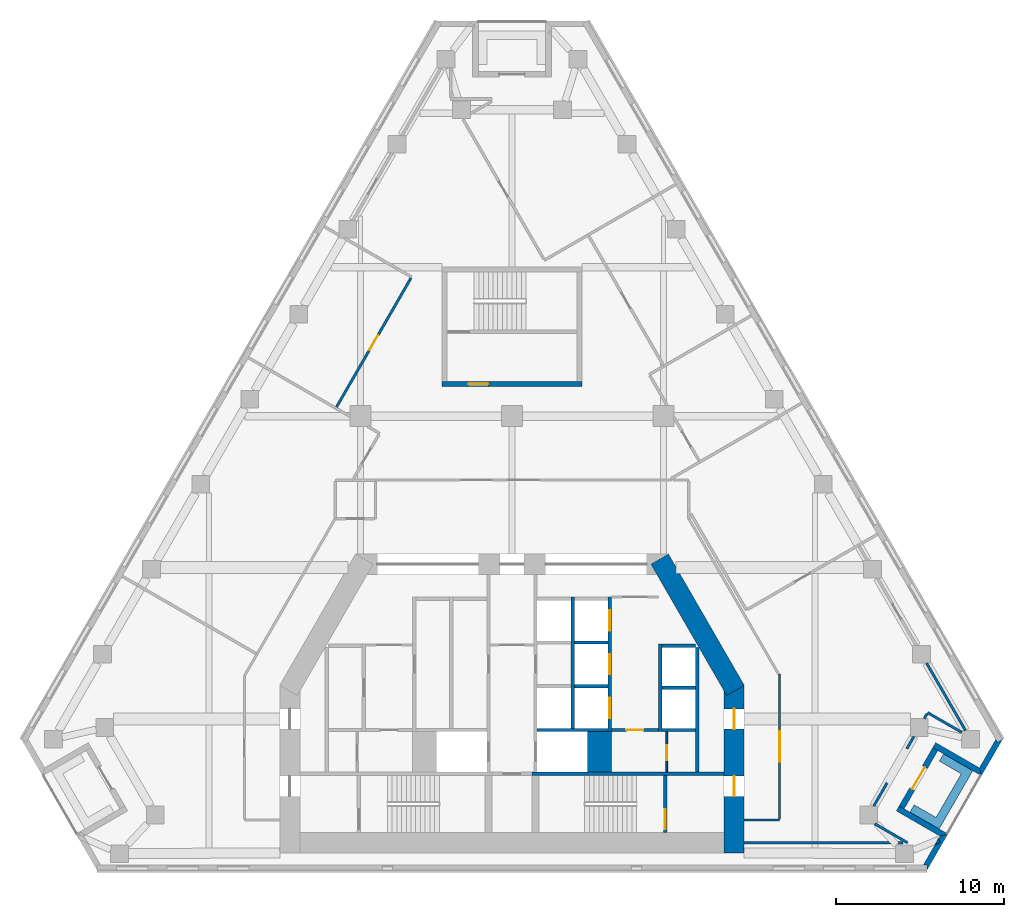
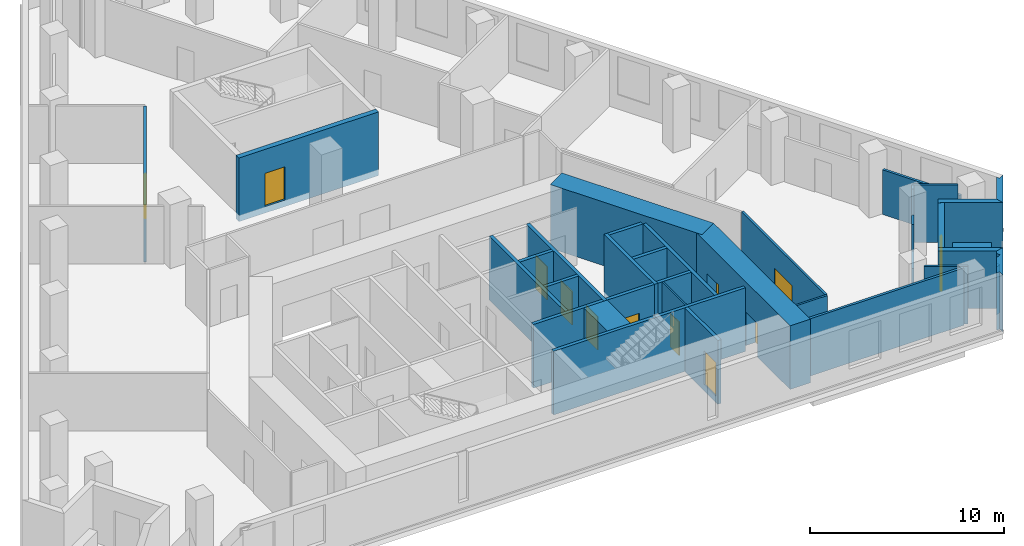
# One storey, part 6 of 9: 35 walls, 12 doors, 12 openings.
"""IFC4 building model written with IfcOpenShell, lengths in metres."""

import ifcopenshell
import ifcopenshell.guid

model = None  # the IFC model being written
_history = None  # IfcOwnerHistory: only IFC2X3 demands one
_inside = {}  # id of a spatial element -> (the spatial element, [elements in it])
_under = {}  # id of a project, library or spatial element -> (it, [spatial elements below it])
_declared = {}  # id of a project -> (the project, [libraries it declares])
_typed = {}  # id of a type object -> (the type object, [elements of that type])
_made_of = {}  # id of a material, layer set ... -> (it, [elements and type objects made of it])


def new_model(schema):
    """Start an empty IFC model of exactly this schema.

    Asked for "IFC4X3", IfcOpenShell would pick the latest addendum, in which some entities
    have other attributes; the version numbers below select the first issue.
    IFC2X3 requires an IfcOwnerHistory on every rooted entity: one is made here for all.
    """
    global model, _history
    if schema == "IFC4X3":
        model = ifcopenshell.file(schema_version=(4, 3, 0, 0))
    else:
        model = ifcopenshell.file(schema=schema)
    _inside.clear()
    _under.clear()
    _declared.clear()
    _typed.clear()
    _made_of.clear()
    _history = None
    if model.schema == "IFC2X3":
        org = make("IfcOrganization", Name="unknown")
        user = make(
            "IfcPersonAndOrganization",
            ThePerson=make("IfcPerson", FamilyName="unknown"),
            TheOrganization=org,
        )
        app = make(
            "IfcApplication",
            ApplicationDeveloper=org,
            Version="unknown",
            ApplicationFullName="unknown",
            ApplicationIdentifier="unknown",
        )
        _history = make(
            "IfcOwnerHistory",
            OwningUser=user,
            OwningApplication=app,
            ChangeAction="ADDED",
            CreationDate=0,
        )
    return model


def make(cls, **values):
    """One entity of the class cls with the attributes given. An attribute that is None is left unset."""
    return model.create_entity(
        cls, **{name: value for name, value in values.items() if value is not None}
    )


def rooted(cls, **values):
    """An entity with a GlobalId (a new one), such as an element, a storey or a relation."""
    return make(cls, GlobalId=ifcopenshell.guid.new(), OwnerHistory=_history, **values)


def si_unit(unit_type, name, prefix=None):
    """IfcSIUnit, for example si_unit("LENGTHUNIT", "METRE", prefix="MILLI")."""
    return make("IfcSIUnit", UnitType=unit_type, Prefix=prefix, Name=name)


def assignment(units):
    """IfcUnitAssignment: the units of a project."""
    return None if units is None else make("IfcUnitAssignment", Units=units)


def point(xyz):
    """IfcCartesianPoint."""
    return None if xyz is None else make("IfcCartesianPoint", Coordinates=xyz)


def direction(xyz):
    """IfcDirection."""
    return None if xyz is None else make("IfcDirection", DirectionRatios=xyz)


def frame(location, z_axis=None, x_axis=None):
    """IfcAxis2Placement3D, a coordinate frame: its origin and axes. An axis left out is left unset."""
    return make(
        "IfcAxis2Placement3D",
        Location=point(location),
        Axis=direction(z_axis),
        RefDirection=direction(x_axis),
    )


def frame_2d(location, x_axis=None):
    """IfcAxis2Placement2D, a coordinate frame in the plane: its origin and x axis."""
    return make(
        "IfcAxis2Placement2D", Location=point(location), RefDirection=direction(x_axis)
    )


def origin():
    """The frame at (0, 0, 0) with its axes left unset."""
    return frame((0.0, 0.0, 0.0))


def place(relative_to, where):
    """IfcLocalPlacement: puts the frame where relative to a parent placement (None: the world)."""
    return make(
        "IfcLocalPlacement", PlacementRelTo=relative_to, RelativePlacement=where
    )


def context(
    kind, dimensions, precision=None, world=None, true_north=None, identifier=None
):
    """IfcGeometricRepresentationContext, for example the 3D "Model" context."""
    return make(
        "IfcGeometricRepresentationContext",
        ContextIdentifier=identifier,
        ContextType=kind,
        CoordinateSpaceDimension=dimensions,
        Precision=precision,
        WorldCoordinateSystem=world,
        TrueNorth=true_north,
    )


def subcontext(parent, identifier, kind, view, scale=None):
    """IfcGeometricRepresentationSubContext, for example "Body" below "Model"."""
    return make(
        "IfcGeometricRepresentationSubContext",
        ContextIdentifier=identifier,
        ContextType=kind,
        ParentContext=parent,
        TargetScale=scale,
        TargetView=view,
    )


def project(units=None, contexts=None):
    """IfcProject with its units and contexts."""
    return rooted(
        "IfcProject",
        Name="project",
        RepresentationContexts=contexts,
        UnitsInContext=assignment(units),
    )


def spatial(cls, under=None, at=None, **own):
    """A site, building, storey or space (cls), placed at a placement, below another one or the project."""
    s = rooted(cls, ObjectPlacement=at, **own)
    if under is not None:
        _under.setdefault(under.id(), (under, []))[1].append(s)
    return s


def polyline(points):
    """IfcPolyline through the points."""
    return make("IfcPolyline", Points=[point(p) for p in points])


def profile(cls, at=None, kind="AREA", **sizes):
    """A parametric profile (cls). Its sizes go by their IFC names, for example OverallWidth=200.0."""
    return make(cls, ProfileType=kind, Position=at, **sizes)


def rectangle(**sizes):
    """IfcRectangleProfileDef."""
    return profile("IfcRectangleProfileDef", **sizes)


def outline(outer, holes=None, kind="AREA"):
    """IfcArbitraryClosedProfileDef: a profile drawn as a closed curve; with holes, ...WithVoids."""
    if holes is None:
        return make("IfcArbitraryClosedProfileDef", ProfileType=kind, OuterCurve=outer)
    return make(
        "IfcArbitraryProfileDefWithVoids",
        ProfileType=kind,
        OuterCurve=outer,
        InnerCurves=holes,
    )


def extrude(swept, where, along, depth):
    """IfcExtrudedAreaSolid: the profile swept, set in the frame where, extruded along a direction by depth."""
    return make(
        "IfcExtrudedAreaSolid",
        SweptArea=swept,
        Position=where,
        ExtrudedDirection=direction(along),
        Depth=depth,
    )


def shape(context_of_items, identifier, shape_type, items):
    """IfcShapeRepresentation: the items that make up one representation, for example the "Body"."""
    return make(
        "IfcShapeRepresentation",
        ContextOfItems=context_of_items,
        RepresentationIdentifier=identifier,
        RepresentationType=shape_type,
        Items=items,
    )


def material(Name=None, Category=None):
    """IfcMaterial."""
    return make("IfcMaterial", Name=Name, Category=Category)


def layer(
    of_material, thickness, ventilated=None, Name=None, Category=None, Priority=None
):
    """IfcMaterialLayer: one layer of a wall or slab, of a material (None: an air gap)."""
    return make(
        "IfcMaterialLayer",
        Material=of_material,
        LayerThickness=thickness,
        IsVentilated=ventilated,
        Name=Name,
        Category=Category,
        Priority=Priority,
    )


def layer_set(layers, Name=None):
    """IfcMaterialLayerSet."""
    return make("IfcMaterialLayerSet", MaterialLayers=layers, LayerSetName=Name)


def made_of(thing, what):
    """Note that an element or type object is made of a material, layer set ...; save() writes the relation."""
    if what is not None:
        _made_of.setdefault(what.id(), (what, []))[1].append(thing)
    return thing


def type_object(cls, material=None, **own):
    """A type object (cls), such as IfcWallType, which elements share."""
    return made_of(rooted(cls, **own), material)


def element(
    cls,
    number,
    at=None,
    inside=None,
    cuts=None,
    type_object=None,
    material=None,
    context=None,
    identifier="Body",
    shape_type=None,
    held_by="IfcProductDefinitionShape",
    body=None,
    shapes=None,
    **own,
):
    """One element of the class cls, such as IfcWall. Its Tag is "e" and its number.

    at: its placement. inside: the storey or other place that contains it. cuts: it is an
    opening in that element (IfcRelVoidsElement). A single representation is given by context,
    identifier, shape_type and body (its items); several are given by shapes. held_by: the class
    of the entity that holds the representations. save() writes the other relations.
    """
    e = rooted(cls, Tag="e%d" % number, ObjectPlacement=at, **own)
    if body is not None:
        shapes = [shape(context, identifier, shape_type, body)]
    if shapes is not None:
        e.Representation = make(held_by, Representations=shapes)
    if inside is not None:
        _inside.setdefault(inside.id(), (inside, []))[1].append(e)
    if cuts is not None:
        rooted(
            "IfcRelVoidsElement", RelatingBuildingElement=cuts, RelatedOpeningElement=e
        )
    if type_object is not None:
        _typed.setdefault(type_object.id(), (type_object, []))[1].append(e)
    return made_of(e, material)


def fill(opening, filler):
    """IfcRelFillsElement: the door or window that sits in an opening."""
    return rooted(
        "IfcRelFillsElement",
        RelatingOpeningElement=opening,
        RelatedBuildingElement=filler,
    )


def aggregate(whole, parts):
    """IfcRelAggregates: a whole, such as a stair, and the parts it consists of."""
    return rooted("IfcRelAggregates", RelatingObject=whole, RelatedObjects=parts)


def save(model, path):
    """Write the relations noted so far, then the file.

    IfcRelAggregates (storeys below a building ...), IfcRelContainedInSpatialStructure (elements
    in a storey), IfcRelDefinesByType, IfcRelAssociatesMaterial and IfcRelDeclares: one each for
    every whole, place, type object, material and project.
    """
    for whole, parts in _under.values():
        aggregate(whole, parts)
    for where, things in _inside.values():
        rooted(
            "IfcRelContainedInSpatialStructure",
            RelatedElements=things,
            RelatingStructure=where,
        )
    for kind, things in _typed.values():
        rooted("IfcRelDefinesByType", RelatedObjects=things, RelatingType=kind)
    for what, things in _made_of.values():
        rooted("IfcRelAssociatesMaterial", RelatedObjects=things, RelatingMaterial=what)
    for by, libraries in _declared.values():
        rooted("IfcRelDeclares", RelatingContext=by, RelatedDefinitions=libraries)
    model.write(path)


model = new_model("IFC4")

# Units and contexts
model_context = context("Model", 3, precision=1e-05, world=origin(), true_north=direction((0.0, 1.0)))
body_context = subcontext(model_context, "Body", "Model", "MODEL_VIEW")
ifc_project = project(units=[si_unit("LENGTHUNIT", "METRE"), si_unit("AREAUNIT", "SQUARE_METRE"), si_unit("VOLUMEUNIT", "CUBIC_METRE"), si_unit("PLANEANGLEUNIT", "RADIAN"), si_unit("MASSUNIT", "GRAM", prefix="KILO")], contexts=[model_context])

# Site, building, storey
site_placement = place(None, origin())
site = spatial("IfcSite", under=ifc_project, at=site_placement, CompositionType="ELEMENT")
building_placement = place(site_placement, origin())
building = spatial("IfcBuilding", under=site, at=building_placement, Name="Fogline Exchange Tower", CompositionType="ELEMENT")
storey_placement = place(building_placement, frame((0.0, 0.0, 142.89990234375)))
storey = spatial("IfcBuildingStorey", under=building, at=storey_placement, Name="L31", CompositionType="ELEMENT", Elevation=142.89990234375)

# Wall, opening, door
ifc_material_1 = material(Name="Blockwork partition", Category="masonry")
ifc_layer_1 = layer(ifc_material_1, 0.10009765625)
ifc_layer_set_1 = layer_set([ifc_layer_1], Name="CW10")
wall_type_1 = type_object("IfcWallType", Name="CW10", PredefinedType="PARTITIONING", material=ifc_layer_set_1)
wall_1_placement = place(storey_placement, frame((9.199951171875, 5.85009765625, 0.0), z_axis=(0.0, 0.0, 1.0), x_axis=(0.0, 1.0, 0.0)))
wall_1 = element("IfcWall", 1, at=wall_1_placement, inside=storey, type_object=wall_type_1, Name="WC partition", PredefinedType="PARTITIONING", context=body_context, shape_type="SweptSolid", body=[
    extrude(rectangle(XDim=2.39990234375, YDim=0.10009765625, at=frame_2d((1.199951171875, 0.0))), origin(), (0.0, 0.0, 1.0), 3.60009765625),
])
opening_1_placement = place(wall_1_placement, frame((0.699951171875, 0.0, 0.0)))
opening_1 = element("IfcOpeningElement", 2, at=opening_1_placement, cuts=wall_1, Name="Opening T10-C014", PredefinedType="OPENING", context=body_context, shape_type="SweptSolid", body=[
    extrude(rectangle(XDim=0.89990234375, YDim=2.10009765625, at=frame_2d((0.449951171875, 1.050048828125))), frame((0.0, 0.06005859375, 0.0), z_axis=(0.0, -1.0, 0.0), x_axis=(1.0, 0.0, 0.0)), (0.0, 0.0, 1.0), 0.1201171875),
])
ifc_material_2 = material(Name="Steel and timber fire door", Category="steel")
door_type_1 = type_object("IfcDoorType", Name="D-CS1", OperationType="SINGLE_SWING_RIGHT", PredefinedType="DOOR", material=ifc_material_2)
door_1_placement = place(opening_1_placement, frame((0.89990234375, 0.0, 0.0), z_axis=(0.0, 0.0, 1.0), x_axis=(-1.0, 0.0, 0.0)))
door_1 = element("IfcDoor", 3, at=door_1_placement, inside=storey, type_object=door_type_1, Name="Door to Cleaner's Store", OperationType="SINGLE_SWING_RIGHT", OverallHeight=2.10009765625, OverallWidth=0.89990234375, PredefinedType="DOOR", context=body_context, shape_type="SweptSolid", body=[
    extrude(rectangle(XDim=0.89990234375, YDim=2.10009765625, at=frame_2d((0.449951171875, 1.050048828125))), frame((0.0, 0.02490234375, 0.0), z_axis=(0.0, -1.0, 0.0), x_axis=(1.0, 0.0, 0.0)), (0.0, 0.0, 1.0), 0.050048828125),
])
fill(opening_1, door_1)

# Walls
ifc_material_3 = material(Name="Concrete C60", Category="concrete")
ifc_layer_2 = layer(ifc_material_3, 1.39990234375)
ifc_layer_set_2 = layer_set([ifc_layer_2], Name="CW140")
wall_type_2 = type_object("IfcWallType", Name="CW140", PredefinedType="SOLIDWALL", material=ifc_layer_set_2)
wall_2_placement = place(storey_placement, frame((5.199951171875, 5.85009765625, -0.39990234375), z_axis=(0.0, 0.0, 1.0), x_axis=(0.0, 1.0, 0.0)))
element("IfcWall", 4, at=wall_2_placement, inside=storey, type_object=wall_type_2, Name="Lift shaft block wall", PredefinedType="SOLIDWALL", context=body_context, shape_type="SweptSolid", body=[
    extrude(rectangle(XDim=2.39990234375, YDim=1.39990234375, at=frame_2d((1.199951171875, 0.0))), origin(), (0.0, 0.0, 1.0), 4.0),
])
ifc_material_4 = material(Name="Concrete C40", Category="concrete")
ifc_layer_3 = layer(ifc_material_4, 0.199951171875)
ifc_layer_set_3 = layer_set([ifc_layer_3], Name="CW20")
wall_type_3 = type_object("IfcWallType", Name="CW20", PredefinedType="SOLIDWALL", material=ifc_layer_set_3)
wall_3_placement = place(storey_placement, frame((11.0, 5.85009765625, 0.0), z_axis=(0.0, 0.0, 1.0), x_axis=(0.0, 1.0, 0.0)))
element("IfcWall", 5, at=wall_3_placement, inside=storey, type_object=wall_type_3, Name="Service room wall", PredefinedType="SOLIDWALL", context=body_context, shape_type="SweptSolid", body=[
    extrude(rectangle(XDim=7.39990234375, YDim=0.199951171875, at=frame_2d((3.699951171875, 0.0))), origin(), (0.0, 0.0, 1.0), 3.60009765625),
])

# Wall, opening, door
wall_4_placement = place(storey_placement, frame((5.89990234375, 8.35009765625, 0.0), z_axis=(0.0, 0.0, 1.0), x_axis=(1.0, 0.0, 0.0)))
wall_4 = element("IfcWall", 6, at=wall_4_placement, inside=storey, type_object=wall_type_3, Name="WC wall", PredefinedType="SOLIDWALL", context=body_context, shape_type="SweptSolid", body=[
    extrude(rectangle(XDim=2.800048828125, YDim=0.199951171875, at=frame_2d((1.39990234375, 0.0))), origin(), (0.0, 0.0, 1.0), 3.60009765625),
])
opening_2_placement = place(wall_4_placement, frame((0.89990234375, 0.0, 0.0)))
opening_2 = element("IfcOpeningElement", 7, at=opening_2_placement, cuts=wall_4, Name="Opening T10-C013", PredefinedType="OPENING", context=body_context, shape_type="SweptSolid", body=[
    extrude(rectangle(XDim=1.0, YDim=2.10009765625, at=frame_2d((0.5, 1.050048828125))), frame((0.0, 0.10986328125, 0.0), z_axis=(0.0, -1.0, 0.0), x_axis=(1.0, 0.0, 0.0)), (0.0, 0.0, 1.0), 0.219970703125),
])
door_type_2 = type_object("IfcDoorType", Name="D-WC1", OperationType="SINGLE_SWING_LEFT", PredefinedType="DOOR", material=ifc_material_2)
door_2_placement = place(opening_2_placement, frame((1.0, 0.0, 0.0), z_axis=(0.0, 0.0, 1.0), x_axis=(-1.0, 0.0, 0.0)))
door_2 = element("IfcDoor", 8, at=door_2_placement, inside=storey, type_object=door_type_2, Name="Door to Women's WC", OperationType="SINGLE_SWING_LEFT", OverallHeight=2.10009765625, OverallWidth=1.0, PredefinedType="DOOR", context=body_context, shape_type="SweptSolid", body=[
    extrude(rectangle(XDim=1.0, YDim=2.10009765625, at=frame_2d((0.5, 1.050048828125))), frame((0.0, 0.02490234375, 0.0), z_axis=(0.0, -1.0, 0.0), x_axis=(1.0, 0.0, 0.0)), (0.0, 0.0, 1.0), 0.050048828125),
])
fill(opening_2, door_2)

# Wall
ifc_layer_4 = layer(ifc_material_4, 0.199951171875)
ifc_layer_set_4 = layer_set([ifc_layer_4], Name="CW20R")
wall_type_4 = type_object("IfcWallType", Name="CW20R", PredefinedType="SOLIDWALL", material=ifc_layer_set_4)
wall_5_placement = place(storey_placement, frame((1.199951171875, 5.75, -0.39990234375), z_axis=(0.0, 0.0, 1.0), x_axis=(1.0, 0.0, 0.0)))
element("IfcWall", 9, at=wall_5_placement, inside=storey, type_object=wall_type_4, Name="Stair enclosure wall", PredefinedType="SOLIDWALL", context=body_context, shape_type="SweptSolid", body=[
    extrude(rectangle(XDim=11.400146484375, YDim=0.199951171875, at=frame_2d((5.7001953125, 0.0))), origin(), (0.0, 0.0, 1.0), 4.0),
])

# Wall, opening, door
wall_6_placement = place(storey_placement, frame((9.10009765625, 2.25, -0.39990234375), z_axis=(0.0, 0.0, 1.0), x_axis=(0.0, 1.0, 0.0)))
wall_6 = element("IfcWall", 10, at=wall_6_placement, inside=storey, type_object=wall_type_4, Name="Stair enclosure wall", PredefinedType="SOLIDWALL", context=body_context, shape_type="SweptSolid", body=[
    extrude(rectangle(XDim=3.39990234375, YDim=0.199951171875, at=frame_2d((1.699951171875, 0.0))), origin(), (0.0, 0.0, 1.0), 4.0),
])
opening_3_placement = place(wall_6_placement, frame((0.199951171875, 0.0, 0.39990234375)))
opening_3 = element("IfcOpeningElement", 11, at=opening_3_placement, cuts=wall_6, Name="Opening T10-C016", PredefinedType="OPENING", context=body_context, shape_type="SweptSolid", body=[
    extrude(rectangle(XDim=1.199951171875, YDim=2.10009765625, at=frame_2d((0.60009765625, 1.050048828125))), frame((0.0, 0.10986328125, 0.0), z_axis=(0.0, -1.0, 0.0), x_axis=(1.0, 0.0, 0.0)), (0.0, 0.0, 1.0), 0.219970703125),
])
door_type_3 = type_object("IfcDoorType", Name="D-ST1", OperationType="SINGLE_SWING_LEFT", PredefinedType="DOOR", material=ifc_material_2)
door_3_placement = place(opening_3_placement, origin())
door_3 = element("IfcDoor", 12, at=door_3_placement, inside=storey, type_object=door_type_3, Name="Stair door ST2", OperationType="SINGLE_SWING_LEFT", OverallHeight=2.10009765625, OverallWidth=1.199951171875, PredefinedType="DOOR", context=body_context, shape_type="SweptSolid", body=[
    extrude(rectangle(XDim=1.199951171875, YDim=2.10009765625, at=frame_2d((0.60009765625, 1.050048828125))), frame((0.0, 0.02490234375, 0.0), z_axis=(0.0, -1.0, 0.0), x_axis=(1.0, 0.0, 0.0)), (0.0, 0.0, 1.0), 0.050048828125),
])
fill(opening_3, door_3)

# Wall
ifc_layer_5 = layer(ifc_material_4, 0.199951171875)
ifc_layer_set_5 = layer_set([ifc_layer_5], Name="CW20S")
wall_type_5 = type_object("IfcWallType", Name="CW20S", PredefinedType="SOLIDWALL", material=ifc_layer_set_5)
wall_7_placement = place(storey_placement, frame((8.800048828125, 8.25, -0.39990234375), z_axis=(0.0, 0.0, 1.0), x_axis=(0.0, 1.0, 0.0)))
element("IfcWall", 13, at=wall_7_placement, inside=storey, type_object=wall_type_5, Name="Lift shaft wall", PredefinedType="SOLIDWALL", context=body_context, shape_type="SweptSolid", body=[
    extrude(rectangle(XDim=5.199951171875, YDim=0.199951171875, at=frame_2d((2.60009765625, 0.0))), origin(), (0.0, 0.0, 1.0), 4.0),
])

# Wall, openings, doors
wall_8_placement = place(storey_placement, frame((5.800048828125, 8.25, -0.39990234375), z_axis=(0.0, 0.0, 1.0), x_axis=(0.0, 1.0, 0.0)))
wall_8 = element("IfcWall", 14, at=wall_8_placement, inside=storey, type_object=wall_type_5, Name="Lift shaft wall", PredefinedType="SOLIDWALL", context=body_context, shape_type="SweptSolid", body=[
    extrude(rectangle(XDim=8.0, YDim=0.199951171875, at=frame_2d((4.0, 0.0))), origin(), (0.0, 0.0, 1.0), 4.0),
])
opening_4_placement = place(wall_8_placement, frame((0.800048828125, 0.0, 0.39990234375)))
opening_4 = element("IfcOpeningElement", 15, at=opening_4_placement, cuts=wall_8, Name="Opening T10-LD02", PredefinedType="OPENING", context=body_context, shape_type="SweptSolid", body=[
    extrude(rectangle(XDim=1.199951171875, YDim=2.10009765625, at=frame_2d((0.60009765625, 1.050048828125))), frame((0.0, 0.10986328125, 0.0), z_axis=(0.0, -1.0, 0.0), x_axis=(1.0, 0.0, 0.0)), (0.0, 0.0, 1.0), 0.219970703125),
])
opening_5_placement = place(wall_8_placement, frame((3.39990234375, 0.0, 0.39990234375)))
opening_5 = element("IfcOpeningElement", 16, at=opening_5_placement, cuts=wall_8, Name="Opening T10-LD03", PredefinedType="OPENING", context=body_context, shape_type="SweptSolid", body=[
    extrude(rectangle(XDim=1.199951171875, YDim=2.10009765625, at=frame_2d((0.60009765625, 1.050048828125))), frame((0.0, 0.10986328125, 0.0), z_axis=(0.0, -1.0, 0.0), x_axis=(1.0, 0.0, 0.0)), (0.0, 0.0, 1.0), 0.219970703125),
])
opening_6_placement = place(wall_8_placement, frame((6.0, 0.0, 0.39990234375)))
opening_6 = element("IfcOpeningElement", 17, at=opening_6_placement, cuts=wall_8, Name="Opening T10-LD04", PredefinedType="OPENING", context=body_context, shape_type="SweptSolid", body=[
    extrude(rectangle(XDim=1.199951171875, YDim=2.10009765625, at=frame_2d((0.60009765625, 1.050048828125))), frame((0.0, 0.10986328125, 0.0), z_axis=(0.0, -1.0, 0.0), x_axis=(1.0, 0.0, 0.0)), (0.0, 0.0, 1.0), 0.219970703125),
])
door_type_4 = type_object("IfcDoorType", Name="LD1", OperationType="SLIDING_TO_LEFT", PredefinedType="DOOR", material=ifc_material_2)
door_4_placement = place(opening_4_placement, origin())
door_4 = element("IfcDoor", 18, at=door_4_placement, inside=storey, type_object=door_type_4, Name="Landing door MR1", OperationType="SLIDING_TO_LEFT", OverallHeight=2.10009765625, OverallWidth=1.199951171875, PredefinedType="DOOR", context=body_context, shape_type="SweptSolid", body=[
    extrude(rectangle(XDim=1.199951171875, YDim=2.10009765625, at=frame_2d((0.60009765625, 1.050048828125))), frame((0.0, 0.02490234375, 0.0), z_axis=(0.0, -1.0, 0.0), x_axis=(1.0, 0.0, 0.0)), (0.0, 0.0, 1.0), 0.050048828125),
])
fill(opening_4, door_4)
door_5_placement = place(opening_5_placement, origin())
door_5 = element("IfcDoor", 19, at=door_5_placement, inside=storey, type_object=door_type_4, Name="Landing door MR2", OperationType="SLIDING_TO_LEFT", OverallHeight=2.10009765625, OverallWidth=1.199951171875, PredefinedType="DOOR", context=body_context, shape_type="SweptSolid", body=[
    extrude(rectangle(XDim=1.199951171875, YDim=2.10009765625, at=frame_2d((0.60009765625, 1.050048828125))), frame((0.0, 0.02490234375, 0.0), z_axis=(0.0, -1.0, 0.0), x_axis=(1.0, 0.0, 0.0)), (0.0, 0.0, 1.0), 0.050048828125),
])
fill(opening_5, door_5)
door_6_placement = place(opening_6_placement, origin())
door_6 = element("IfcDoor", 20, at=door_6_placement, inside=storey, type_object=door_type_4, Name="Landing door MR3", OperationType="SLIDING_TO_LEFT", OverallHeight=2.10009765625, OverallWidth=1.199951171875, PredefinedType="DOOR", context=body_context, shape_type="SweptSolid", body=[
    extrude(rectangle(XDim=1.199951171875, YDim=2.10009765625, at=frame_2d((0.60009765625, 1.050048828125))), frame((0.0, 0.02490234375, 0.0), z_axis=(0.0, -1.0, 0.0), x_axis=(1.0, 0.0, 0.0)), (0.0, 0.0, 1.0), 0.050048828125),
])
fill(opening_6, door_6)

# Walls
wall_9_placement = place(storey_placement, frame((3.60009765625, 8.449951171875, -0.39990234375), z_axis=(0.0, 0.0, 1.0), x_axis=(0.0, 1.0, 0.0)))
element("IfcWall", 21, at=wall_9_placement, inside=storey, type_object=wall_type_5, Name="Lift shaft wall", PredefinedType="SOLIDWALL", context=body_context, shape_type="SweptSolid", body=[
    extrude(rectangle(XDim=7.800048828125, YDim=0.199951171875, at=frame_2d((3.89990234375, 0.0))), origin(), (0.0, 0.0, 1.0), 4.0),
])
wall_10_placement = place(storey_placement, frame((8.89990234375, 8.35009765625, -0.39990234375), z_axis=(0.0, 0.0, 1.0), x_axis=(1.0, 0.0, 0.0)))
element("IfcWall", 22, at=wall_10_placement, inside=storey, type_object=wall_type_5, Name="Lift shaft wall", PredefinedType="SOLIDWALL", context=body_context, shape_type="SweptSolid", body=[
    extrude(rectangle(XDim=2.0, YDim=0.199951171875, at=frame_2d((1.0, 0.0))), origin(), (0.0, 0.0, 1.0), 4.0),
])
wall_11_placement = place(storey_placement, frame((1.5, 8.35009765625, -0.39990234375), z_axis=(0.0, 0.0, 1.0), x_axis=(1.0, 0.0, 0.0)))
element("IfcWall", 23, at=wall_11_placement, inside=storey, type_object=wall_type_5, Name="Lift shaft wall", PredefinedType="SOLIDWALL", context=body_context, shape_type="SweptSolid", body=[
    extrude(rectangle(XDim=4.199951171875, YDim=0.199951171875, at=frame_2d((2.10009765625, 0.0))), origin(), (0.0, 0.0, 1.0), 4.0),
])
for number, where, z_axis, x_axis, name in (
    (24, (8.89990234375, 10.85009765625, -0.39990234375), (0.0, 0.0, 1.0), (1.0, 0.0, 0.0), "Lift shaft wall"),
    (25, (8.89990234375, 13.35009765625, -0.39990234375), (0.0, 0.0, 1.0), (1.0, 0.0, 0.0), "Lift shaft wall"),
    (26, (3.699951171875, 10.949951171875, -0.39990234375), (0.0, 0.0, 1.0), (1.0, 0.0, 0.0), "Lift shaft wall"),
    (27, (3.699951171875, 13.550048828125, -0.39990234375), (0.0, 0.0, 1.0), (1.0, 0.0, 0.0), "Lift shaft wall"),
):
    element("IfcWall", number, at=place(storey_placement, frame(where, z_axis=z_axis, x_axis=x_axis)), inside=storey, type_object=wall_type_5, Name=name, PredefinedType="SOLIDWALL", context=body_context, shape_type="SweptSolid", body=[
        extrude(rectangle(XDim=2.0, YDim=0.199951171875, at=frame_2d((1.0, 0.0))), origin(), (0.0, 0.0, 1.0), 4.0),
    ])

# Wall, opening, door
ifc_layer_6 = layer(ifc_material_4, 0.300048828125)
ifc_layer_set_6 = layer_set([ifc_layer_6], Name="CW30")
wall_type_6 = type_object("IfcWallType", Name="CW30", PredefinedType="SOLIDWALL", material=ifc_layer_set_6)
wall_12_placement = place(storey_placement, frame((-4.14990234375, 28.906982421875, -0.39990234375), z_axis=(0.0, 0.0, 1.0), x_axis=(1.0, 0.0, 0.0)))
wall_12 = element("IfcWall", 28, at=wall_12_placement, inside=storey, type_object=wall_type_6, Name="Stair enclosure wall ST3", PredefinedType="SOLIDWALL", context=body_context, shape_type="SweptSolid", body=[
    extrude(rectangle(XDim=8.2998046875, YDim=0.300048828125, at=frame_2d((4.14990234375, 0.0))), origin(), (0.0, 0.0, 1.0), 4.0),
])
opening_7_placement = place(wall_12_placement, frame((1.550048828125, 0.0, 0.39990234375)))
opening_7 = element("IfcOpeningElement", 29, at=opening_7_placement, cuts=wall_12, Name="Opening T10-C022", PredefinedType="OPENING", context=body_context, shape_type="SweptSolid", body=[
    extrude(rectangle(XDim=1.199951171875, YDim=2.10009765625, at=frame_2d((0.60009765625, 1.050048828125))), frame((0.0, 0.16015625, 0.0), z_axis=(0.0, -1.0, 0.0), x_axis=(1.0, 0.0, 0.0)), (0.0, 0.0, 1.0), 0.320068359375),
])
door_type_5 = type_object("IfcDoorType", Name="D-FR1", OperationType="SINGLE_SWING_RIGHT", PredefinedType="DOOR", material=ifc_material_2)
door_7_placement = place(opening_7_placement, origin())
door_7 = element("IfcDoor", 30, at=door_7_placement, inside=storey, type_object=door_type_5, Name="Front room door ST3", OperationType="SINGLE_SWING_LEFT", OverallHeight=2.10009765625, OverallWidth=1.199951171875, PredefinedType="DOOR", context=body_context, shape_type="SweptSolid", body=[
    extrude(rectangle(XDim=1.199951171875, YDim=2.10009765625, at=frame_2d((0.60009765625, 1.050048828125))), frame((0.0, 0.02490234375, 0.0), z_axis=(0.0, -1.0, 0.0), x_axis=(1.0, 0.0, 0.0)), (0.0, 0.0, 1.0), 0.050048828125),
])
fill(opening_7, door_7)

# Walls
ifc_material_5 = material(Name="Brick masonry", Category="masonry")
ifc_layer_7 = layer(ifc_material_5, 0.340087890625)
ifc_layer_set_7 = layer_set([ifc_layer_7], Name="FW1")
wall_type_7 = type_object("IfcWallType", Name="FW1", PredefinedType="SOLIDWALL", material=ifc_layer_set_7)
wall_13_placement = place(storey_placement, origin())
element("IfcWall", 31, at=wall_13_placement, inside=storey, type_object=wall_type_7, Name="Brick wall L31 SE-c1", PredefinedType="SOLIDWALL", context=body_context, shape_type="SweptSolid", body=[
    extrude(outline(polyline([(25.338134765625, 1.875732421875), (25.43115234375, 1.649658203125), (25.137939453125, 1.529052734375), (25.338134765625, 1.875732421875)])), origin(), (0.0, 0.0, 1.0), 3.0),
])
wall_14_placement = place(storey_placement, origin())
element("IfcWall", 32, at=wall_14_placement, inside=storey, type_object=wall_type_7, Name="Brick wall L31 SE-c1", PredefinedType="SOLIDWALL", context=body_context, shape_type="SweptSolid", body=[
    extrude(outline(polyline([(24.6484375, -0.001220703125), (24.64794921875, -0.0009765625), (24.64794921875, 0.33935546875), (24.451171875, 0.33935546875), (25.137939453125, 1.529052734375), (25.43115234375, 1.649658203125), (25.338134765625, 1.875732421875), (25.43359375, 2.041015625), (25.8994140625, 2.166015625), (25.8994140625, 2.165771484375), (24.6484375, -0.001220703125)])), origin(), (0.0, 0.0, 1.0), 3.60009765625),
])
wall_15_placement = place(storey_placement, origin())
element("IfcWall", 33, at=wall_15_placement, inside=storey, type_object=wall_type_7, Name="Brick wall L31 SE-s1", PredefinedType="SOLIDWALL", context=body_context, shape_type="SweptSolid", body=[
    extrude(outline(polyline([(22.835205078125, 3.540283203125), (23.005859375, 3.8359375), (23.30078125, 3.66552734375), (25.899658203125, 2.1650390625), (25.899658203125, 2.164794921875), (25.433837890625, 2.0400390625), (22.835205078125, 3.540283203125)])), origin(), (0.0, 0.0, 1.0), 3.60009765625),
])

# Wall, opening, door
wall_16_placement = place(storey_placement, frame((23.153076171875, 3.75, 0.0), z_axis=(0.0, 0.0, 1.0), x_axis=(0.49999894854, 0.866026010844, 0.0)))
wall_16 = element("IfcWall", 34, at=wall_16_placement, inside=storey, type_object=wall_type_7, Name="Brick wall L31 SE-bk", PredefinedType="SOLIDWALL", context=body_context, shape_type="SweptSolid", body=[
    extrude(rectangle(XDim=4.0, YDim=0.340087890625, at=frame_2d((2.0, 0.0))), origin(), (0.0, 0.0, 1.0), 3.60009765625),
])
opening_8_placement = place(wall_16_placement, frame((1.25, 0.0, 0.0)))
opening_8 = element("IfcOpeningElement", 35, at=opening_8_placement, cuts=wall_16, Name="Opening T10-E081", PredefinedType="OPENING", context=body_context, shape_type="SweptSolid", body=[
    extrude(rectangle(XDim=1.5, YDim=2.39990234375, at=frame_2d((0.75, 1.199951171875))), frame((0.0, 0.18017578125, 0.0), z_axis=(0.0, -1.0, 0.0), x_axis=(1.0, 0.0, 0.0)), (0.0, 0.0, 1.0), 0.360107421875),
])
ifc_material_6 = material(Name="Aluminium and glass", Category="aluminium")
door_type_6 = type_object("IfcDoorType", Name="ED4", OperationType="SINGLE_SWING_LEFT", PredefinedType="DOOR", material=ifc_material_6)
door_8_placement = place(opening_8_placement, frame((1.5, 0.0, 0.0), z_axis=(0.0, 0.0, 1.0), x_axis=(-1.0, 0.0, 0.0)))
door_8 = element("IfcDoor", 36, at=door_8_placement, inside=storey, type_object=door_type_6, Name="Balcony door L31 SE", OperationType="DOUBLE_DOOR_SINGLE_SWING", OverallHeight=2.39990234375, OverallWidth=1.5, PredefinedType="DOOR", context=body_context, shape_type="SweptSolid", body=[
    extrude(rectangle(XDim=1.5, YDim=2.39990234375, at=frame_2d((0.75, 1.199951171875))), frame((0.0, 0.02490234375, 0.0), z_axis=(0.0, -1.0, 0.0), x_axis=(1.0, 0.0, 0.0)), (0.0, 0.0, 1.0), 0.050048828125),
])
fill(opening_8, door_8)

# Walls
wall_17_placement = place(storey_placement, origin())
element("IfcWall", 37, at=wall_17_placement, inside=storey, type_object=wall_type_7, Name="Brick wall L31 SE-s2", PredefinedType="SOLIDWALL", context=body_context, shape_type="SweptSolid", body=[
    extrude(outline(polyline([(27.899169921875, 5.628173828125), (25.300048828125, 7.128662109375), (25.005126953125, 7.298828125), (25.17578125, 7.594482421875), (27.774658203125, 6.093994140625), (27.8994140625, 5.62841796875), (27.899169921875, 5.628173828125)])), origin(), (0.0, 0.0, 1.0), 3.60009765625),
])
wall_18_placement = place(storey_placement, origin())
element("IfcWall", 38, at=wall_18_placement, inside=storey, type_object=wall_type_7, Name="Brick wall L31 SE-c2", PredefinedType="SOLIDWALL", context=body_context, shape_type="SweptSolid", body=[
    extrude(outline(polyline([(28.755859375, 7.79541015625), (28.854248046875, 7.625), (29.149169921875, 7.79541015625), (29.149658203125, 7.794921875), (27.8984375, 5.6279296875), (27.898193359375, 5.6279296875), (27.7734375, 6.09375), (28.755859375, 7.79541015625)])), origin(), (0.0, 0.0, 1.0), 3.60009765625),
])
ifc_material_7 = material(Name="Concrete C30", Category="concrete")
ifc_layer_8 = layer(ifc_material_7, 0.199951171875)
ifc_layer_set_8 = layer_set([ifc_layer_8], Name="PL1")
wall_type_8 = type_object("IfcWallType", Name="PL1", PredefinedType="USERDEFINED", material=ifc_layer_set_8)
wall_19_placement = place(storey_placement, origin())
element("IfcWall", 39, at=wall_19_placement, inside=storey, type_object=wall_type_8, Name="PLANTER balcony L31 SE", ObjectType="PLANTER", PredefinedType="USERDEFINED", context=body_context, shape_type="SweptSolid", body=[
    extrude(outline(polyline([(23.646728515625, 3.465087890625), (24.94580078125, 2.715087890625), (24.94580078125, 2.715087890625), (25.37890625, 2.465087890625), (27.12890625, 5.49609375), (27.37890625, 5.92919921875), (25.646728515625, 6.92919921875), (25.396728515625, 6.49609375), (26.69580078125, 5.74609375), (25.19580078125, 3.148193359375), (23.896728515625, 3.898193359375), (23.646728515625, 3.465087890625)])), origin(), (0.0, 0.0, 1.0), 1.10009765625),
])

# Wall, opening, door
ifc_material_8 = material(Name="Plasterboard corridor partition with mineral wool, 2 layers each side")
ifc_layer_9 = layer(ifc_material_8, 0.125)
ifc_layer_set_9 = layer_set([ifc_layer_9], Name="PW2")
wall_type_9 = type_object("IfcWallType", Name="PW2", PredefinedType="PARTITIONING", material=ifc_layer_set_9)
wall_20_placement = place(storey_placement, frame((15.89990234375, 11.67041015625, 0.0), z_axis=(0.0, 0.0, 1.0), x_axis=(0.0, -1.0, 0.0)))
wall_20 = element("IfcWall", 40, at=wall_20_placement, inside=storey, type_object=wall_type_9, Name="wall-L31-W002", PredefinedType="PARTITIONING", context=body_context, shape_type="SweptSolid", body=[
    extrude(rectangle(XDim=8.60791015625, YDim=0.125, at=frame_2d((4.303955078125, 0.0))), origin(), (0.0, 0.0, 1.0), 3.60009765625),
])
opening_9_placement = place(wall_20_placement, frame((3.40380859375, 0.0, 0.0)))
opening_9 = element("IfcOpeningElement", 41, at=opening_9_placement, cuts=wall_20, Name="Opening T10-D001", PredefinedType="OPENING", context=body_context, shape_type="SweptSolid", body=[
    extrude(rectangle(XDim=1.800048828125, YDim=2.10009765625, at=frame_2d((0.89990234375, 1.050048828125))), frame((0.0, 0.072509765625, 0.0), z_axis=(0.0, -1.0, 0.0), x_axis=(1.0, 0.0, 0.0)), (0.0, 0.0, 1.0), 0.14501953125),
])
ifc_material_9 = material(Name="Fire-rated timber door leaves with steel frame", Category="steel")
door_type_7 = type_object("IfcDoorType", Name="D4", OperationType="DOUBLE_DOOR_SINGLE_SWING", PredefinedType="DOOR", material=ifc_material_9)
door_9_placement = place(opening_9_placement, frame((1.800048828125, 0.0, 0.0), z_axis=(0.0, 0.0, 1.0), x_axis=(-1.0, 0.0, 0.0)))
door_9 = element("IfcDoor", 42, at=door_9_placement, inside=storey, type_object=door_type_7, Name="door-L31-D001", OperationType="DOUBLE_DOOR_SINGLE_SWING", OverallHeight=2.10009765625, OverallWidth=1.800048828125, PredefinedType="DOOR", context=body_context, shape_type="SweptSolid", body=[
    extrude(rectangle(XDim=1.800048828125, YDim=2.10009765625, at=frame_2d((0.89990234375, 1.050048828125))), frame((0.0, 0.02490234375, 0.0), z_axis=(0.0, -1.0, 0.0), x_axis=(1.0, 0.0, 0.0)), (0.0, 0.0, 1.0), 0.050048828125),
])
fill(opening_9, door_9)

# Wall
wall_21_placement = place(storey_placement, frame((15.89990234375, 3.0, 0.0), z_axis=(0.0, 0.0, 1.0), x_axis=(-1.0, 0.0, 0.0)))
element("IfcWall", 43, at=wall_21_placement, inside=storey, type_object=wall_type_9, Name="wall-L31-W003", PredefinedType="PARTITIONING", context=body_context, shape_type="SweptSolid", body=[
    extrude(rectangle(XDim=2.099853515625, YDim=0.125, at=frame_2d((1.0498046875, 0.0))), origin(), (0.0, 0.0, 1.0), 3.60009765625),
])

# Wall, opening, door
ifc_material_10 = material(Name="Plasterboard demising partition with mineral wool and acoustic board")
ifc_layer_10 = layer(ifc_material_10, 0.14990234375)
ifc_layer_set_10 = layer_set([ifc_layer_10], Name="PW3")
wall_type_10 = type_object("IfcWallType", Name="PW3", PredefinedType="PARTITIONING", material=ifc_layer_set_10)
wall_22_placement = place(storey_placement, frame((-10.429443359375, 27.53662109375, 0.0), z_axis=(0.0, 0.0, 1.0), x_axis=(0.50001697323, 0.866015604063, 0.0)))
wall_22 = element("IfcWall", 44, at=wall_22_placement, inside=storey, type_object=wall_type_10, Name="wall-L31-W032", PredefinedType="PARTITIONING", context=body_context, shape_type="SweptSolid", body=[
    extrude(rectangle(XDim=8.849853515625, YDim=0.14990234375, at=frame_2d((4.4248046875, 0.0))), origin(), (0.0, 0.0, 1.0), 3.60009765625),
])
opening_10_placement = place(wall_22_placement, frame((3.925048828125, 0.0, 0.0)))
opening_10 = element("IfcOpeningElement", 45, at=opening_10_placement, cuts=wall_22, Name="Opening T10-D011", PredefinedType="OPENING", context=body_context, shape_type="SweptSolid", body=[
    extrude(rectangle(XDim=1.0, YDim=2.10009765625, at=frame_2d((0.5, 1.050048828125))), frame((0.0, 0.0849609375, 0.0), z_axis=(0.0, -1.0, 0.0), x_axis=(1.0, 0.0, 0.0)), (0.0, 0.0, 1.0), 0.169921875),
])
ifc_material_11 = material(Name="Fire-rated timber door leaf with steel frame", Category="steel")
door_type_8 = type_object("IfcDoorType", Name="D3", OperationType="SINGLE_SWING_LEFT", PredefinedType="DOOR", material=ifc_material_11)
door_10_placement = place(opening_10_placement, origin())
door_10 = element("IfcDoor", 46, at=door_10_placement, inside=storey, type_object=door_type_8, Name="door-L31-D011", OperationType="SINGLE_SWING_LEFT", OverallHeight=2.10009765625, OverallWidth=1.0, PredefinedType="DOOR", context=body_context, shape_type="SweptSolid", body=[
    extrude(rectangle(XDim=1.0, YDim=2.10009765625, at=frame_2d((0.5, 1.050048828125))), frame((0.0, 0.02490234375, 0.0), z_axis=(0.0, -1.0, 0.0), x_axis=(1.0, 0.0, 0.0)), (0.0, 0.0, 1.0), 0.050048828125),
])
fill(opening_10, door_10)

# Walls
wall_23_placement = place(storey_placement, frame((13.800048828125, 1.64501953125, 0.0), z_axis=(0.0, 0.0, 1.0), x_axis=(1.0, 0.0, 0.0)))
element("IfcWall", 47, at=wall_23_placement, inside=storey, type_object=wall_type_10, Name="wall-L31-W043", PredefinedType="PARTITIONING", context=body_context, shape_type="SweptSolid", body=[
    extrude(rectangle(XDim=9.428955078125, YDim=0.14990234375, at=frame_2d((4.71435546875, 0.0))), origin(), (0.0, 0.0, 1.0), 3.60009765625),
])
wall_24_placement = place(storey_placement, frame((23.50927734375, 1.64501953125, 0.0), z_axis=(0.0, 0.0, 1.0), x_axis=(-0.866052353562, 0.49995331871, 0.0)))
element("IfcWall", 48, at=wall_24_placement, inside=storey, type_object=wall_type_10, Name="wall-L31-W044", PredefinedType="PARTITIONING", context=body_context, shape_type="SweptSolid", body=[
    extrude(rectangle(XDim=2.258056640625, YDim=0.14990234375, at=frame_2d((1.12890625, 0.0))), origin(), (0.0, 0.0, 1.0), 3.60009765625),
])
wall_25_placement = place(storey_placement, frame((21.49267578125, 3.823974609375, 0.0), z_axis=(0.0, 0.0, 1.0), x_axis=(0.50005006716, 0.865996495566, 0.0)))
element("IfcWall", 49, at=wall_25_placement, inside=storey, type_object=wall_type_10, Name="wall-L31-W045", PredefinedType="PARTITIONING", context=body_context, shape_type="SweptSolid", body=[
    extrude(rectangle(XDim=1.591064453125, YDim=0.14990234375, at=frame_2d((0.79541015625, 0.0))), origin(), (0.0, 0.0, 1.0), 2.800048828125),
])
wall_26_placement = place(storey_placement, frame((23.46337890625, 7.2373046875, 0.0), z_axis=(0.0, 0.0, 1.0), x_axis=(0.499955533855, 0.866051074803, 0.0)))
element("IfcWall", 50, at=wall_26_placement, inside=storey, type_object=wall_type_10, Name="wall-L31-W046", PredefinedType="PARTITIONING", context=body_context, shape_type="SweptSolid", body=[
    extrude(rectangle(XDim=0.84619140625, YDim=0.14990234375, at=frame_2d((0.423095703125, 0.0))), origin(), (0.0, 0.0, 1.0), 2.800048828125),
])
wall_27_placement = place(storey_placement, frame((24.49267578125, 9.020263671875, 0.0), z_axis=(0.0, 0.0, 1.0), x_axis=(0.50043490082, 0.865774168037, 0.0)))
element("IfcWall", 51, at=wall_27_placement, inside=storey, type_object=wall_type_10, Name="wall-L31-W047", PredefinedType="PARTITIONING", context=body_context, shape_type="SweptSolid", body=[
    extrude(rectangle(XDim=0.336181640625, YDim=0.14990234375, at=frame_2d((0.16796875, 0.0))), origin(), (0.0, 0.0, 1.0), 3.60009765625),
])
wall_28_placement = place(storey_placement, frame((24.6982421875, 9.376220703125, 0.0), z_axis=(0.0, 0.0, 1.0), x_axis=(0.866063930301, -0.499933264177, 0.0)))
element("IfcWall", 52, at=wall_28_placement, inside=storey, type_object=wall_type_10, Name="wall-L31-W048", PredefinedType="PARTITIONING", context=body_context, shape_type="SweptSolid", body=[
    extrude(rectangle(XDim=2.339111328125, YDim=0.14990234375, at=frame_2d((1.16943359375, 0.0))), origin(), (0.0, 0.0, 1.0), 3.60009765625),
])
wall_29_placement = place(storey_placement, frame((26.94580078125, 8.319091796875, 0.0), z_axis=(0.0, 0.0, 1.0), x_axis=(-0.499981705991, 0.866035965578, 0.0)))
element("IfcWall", 53, at=wall_29_placement, inside=storey, type_object=wall_type_10, Name="wall-L31-W049", PredefinedType="PARTITIONING", context=body_context, shape_type="SweptSolid", body=[
    extrude(rectangle(XDim=4.619384765625, YDim=0.14990234375, at=frame_2d((2.3095703125, 0.0))), origin(), (0.0, 0.0, 1.0), 2.800048828125),
])

# Wall, openings, doors
ifc_layer_11 = layer(ifc_material_3, 1.199951171875)
ifc_layer_set_11 = layer_set([ifc_layer_11], Name="SW02")
wall_type_11 = type_object("IfcWallType", Name="SW02", PredefinedType="SHEAR", material=ifc_layer_set_11)
wall_30_placement = place(storey_placement, frame((13.199951171875, 1.050048828125, 0.0), z_axis=(0.0, 0.0, 1.0), x_axis=(0.0, 1.0, 0.0)))
wall_30 = element("IfcWall", 54, at=wall_30_placement, inside=storey, type_object=wall_type_11, Name="L31-W902", PredefinedType="SHEAR", context=body_context, shape_type="SweptSolid", body=[
    extrude(rectangle(XDim=9.948974609375, YDim=1.199951171875, at=frame_2d((4.974609375, 0.0))), origin(), (0.0, 0.0, 1.0), 4.0),
])
opening_11_placement = place(wall_30_placement, frame((3.35009765625, 0.0, 0.0)))
opening_11 = element("IfcOpeningElement", 55, at=opening_11_placement, cuts=wall_30, Name="Opening T10-C015", PredefinedType="OPENING", context=body_context, shape_type="SweptSolid", body=[
    extrude(rectangle(XDim=1.199951171875, YDim=2.10009765625, at=frame_2d((0.60009765625, 1.050048828125))), frame((0.0, 0.60986328125, 0.0), z_axis=(0.0, -1.0, 0.0), x_axis=(1.0, 0.0, 0.0)), (0.0, 0.0, 1.0), 1.219970703125),
])
opening_12_placement = place(wall_30_placement, frame((7.35009765625, 0.0, 0.0)))
opening_12 = element("IfcOpeningElement", 56, at=opening_12_placement, cuts=wall_30, Name="Opening T10-C017", PredefinedType="OPENING", context=body_context, shape_type="SweptSolid", body=[
    extrude(rectangle(XDim=1.199951171875, YDim=2.10009765625, at=frame_2d((0.60009765625, 1.050048828125))), frame((0.0, 0.60986328125, 0.0), z_axis=(0.0, -1.0, 0.0), x_axis=(1.0, 0.0, 0.0)), (0.0, 0.0, 1.0), 1.219970703125),
])
door_11_placement = place(opening_11_placement, origin())
door_11 = element("IfcDoor", 57, at=door_11_placement, inside=storey, type_object=door_type_5, Name="Front room door ST2", OperationType="SINGLE_SWING_RIGHT", OverallHeight=2.10009765625, OverallWidth=1.199951171875, PredefinedType="DOOR", context=body_context, shape_type="SweptSolid", body=[
    extrude(rectangle(XDim=1.199951171875, YDim=2.10009765625, at=frame_2d((0.60009765625, 1.050048828125))), frame((0.0, 0.02490234375, 0.0), z_axis=(0.0, -1.0, 0.0), x_axis=(1.0, 0.0, 0.0)), (0.0, 0.0, 1.0), 0.050048828125),
])
fill(opening_11, door_11)
door_type_9 = type_object("IfcDoorType", Name="D-SV1", OperationType="SINGLE_SWING_LEFT", PredefinedType="DOOR", material=ifc_material_2)
door_12_placement = place(opening_12_placement, origin())
door_12 = element("IfcDoor", 58, at=door_12_placement, inside=storey, type_object=door_type_9, Name="Service door E", OperationType="SINGLE_SWING_RIGHT", OverallHeight=2.10009765625, OverallWidth=1.199951171875, PredefinedType="DOOR", context=body_context, shape_type="SweptSolid", body=[
    extrude(rectangle(XDim=1.199951171875, YDim=2.10009765625, at=frame_2d((0.60009765625, 1.050048828125))), frame((0.0, 0.02490234375, 0.0), z_axis=(0.0, -1.0, 0.0), x_axis=(1.0, 0.0, 0.0)), (0.0, 0.0, 1.0), 0.050048828125),
])
fill(opening_12, door_12)

# Wall
wall_31_placement = place(storey_placement, frame((13.280517578125, 10.698974609375, 0.0), z_axis=(0.0, 0.0, 1.0), x_axis=(-0.499998513025, 0.866026262288, 0.0)))
element("IfcWall", 59, at=wall_31_placement, inside=storey, type_object=wall_type_11, Name="L31-W903", PredefinedType="SHEAR", context=body_context, shape_type="SweptSolid", body=[
    extrude(rectangle(XDim=9.0078125, YDim=1.199951171875, at=frame_2d((4.50390625, 0.0))), origin(), (0.0, 0.0, 1.0), 4.0),
])

save(model, "model.ifc")
